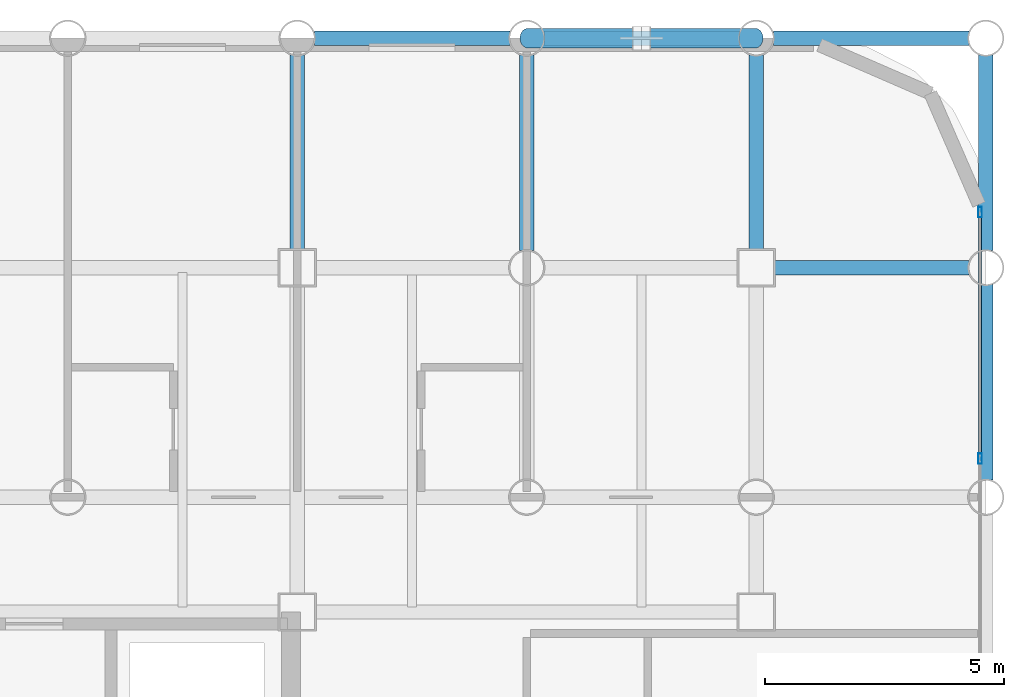
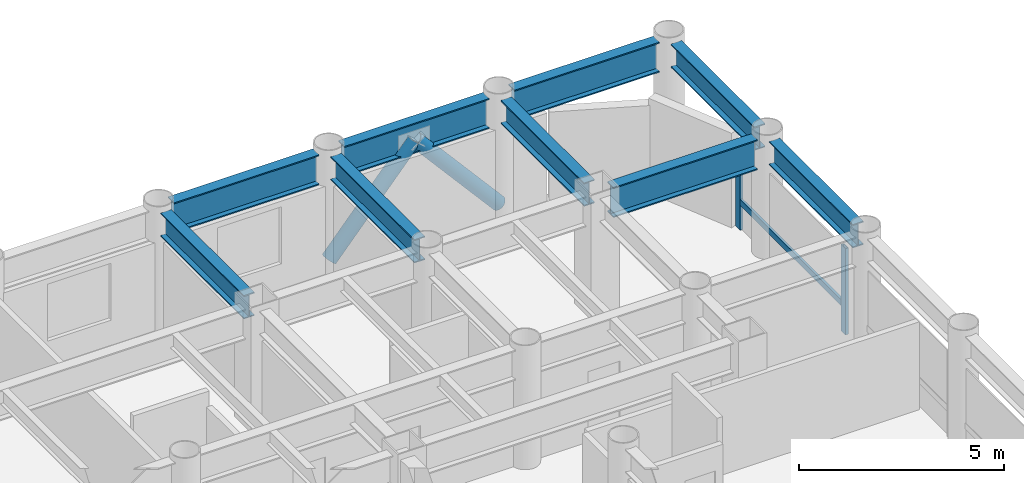
# One storey, part 14 of 21: 9 beams, 5 members, 1 element without a shape of its own.
"""IFC4 building model written with IfcOpenShell, lengths in metres."""

from ifc_helpers import new_model, si_unit, direction, frame, origin, origin_2d, place, context, subcontext, project, spatial, hollow_rectangle, hollow_circle, i_section, extrude, material, layer, layer_set, material_profile, profile_set, type_object, element, aggregate, save


model = new_model("IFC4")

# Units and contexts
model_context = context("Model", 3, precision=1e-05, world=origin(), true_north=direction((0.0, 1.0)))
body_context = subcontext(model_context, "Body", "Model", "MODEL_VIEW")
ifc_project = project(units=[si_unit("LENGTHUNIT", "METRE"), si_unit("AREAUNIT", "SQUARE_METRE"), si_unit("VOLUMEUNIT", "CUBIC_METRE"), si_unit("PLANEANGLEUNIT", "RADIAN"), si_unit("MASSUNIT", "GRAM", prefix="KILO")], contexts=[model_context])

# Site, building, storey
site_placement = place(None, origin())
site = spatial("IfcSite", under=ifc_project, at=site_placement, CompositionType="ELEMENT")
building_placement = place(site_placement, origin())
building = spatial("IfcBuilding", under=site, at=building_placement, Name="Kallvorn Hotel Tower", CompositionType="ELEMENT")
storey_placement = place(building_placement, frame((0.0, 0.0, 44.800048828125)))
storey = spatial("IfcBuildingStorey", under=building, at=storey_placement, Name="L09", CompositionType="ELEMENT", Elevation=44.800048828125)

# Beams
ifc_material_1 = material(Name="Structural steel S355JR", Category="steel")
ifc_material_profile_1 = material_profile(ifc_material_1, i_section(OverallWidth=0.300048828125, OverallDepth=0.699951171875, WebThickness=0.01708984375, FlangeThickness=0.031982421875, at=origin_2d()), Name="HE 700 B")
ifc_profile_set_1 = profile_set([ifc_material_profile_1], Name="Structural steel S355JR")
beam_type_1 = type_object("IfcBeamType", Name="BM_HE700B", PredefinedType="BEAM", material=ifc_profile_set_1)
beam_1_placement = place(storey_placement, frame((14.39990234375, 14.77490234375, 3.169921875), z_axis=(0.0, 1.0, 0.0), x_axis=(-1.0, 0.0, 0.0)))
element("IfcBeam", 1, at=beam_1_placement, inside=storey, type_object=beam_type_1, Name="L10 Primary Y-Girder 126", PredefinedType="BEAM", context=body_context, shape_type="SweptSolid", body=[
    extrude(i_section(OverallWidth=0.300048828125, OverallDepth=0.699951171875, WebThickness=0.01708984375, FlangeThickness=0.031982421875, at=origin_2d()), origin(), (0.0, 0.0, 1.0), 4.069091796875),
])
beam_2_placement = place(storey_placement, frame((19.199951171875, 14.756103515625, 3.169921875), z_axis=(0.0, 1.0, 0.0), x_axis=(-1.0, 0.0, 0.0)))
element("IfcBeam", 2, at=beam_2_placement, inside=storey, type_object=beam_type_1, Name="L10 Primary Y-Girder 135", PredefinedType="BEAM", context=body_context, shape_type="SweptSolid", body=[
    extrude(i_section(OverallWidth=0.300048828125, OverallDepth=0.699951171875, WebThickness=0.01708984375, FlangeThickness=0.031982421875, at=origin_2d()), origin(), (0.0, 0.0, 1.0), 4.087890625),
])
beam_3_placement = place(storey_placement, frame((24.0, 14.77490234375, 3.169921875), z_axis=(0.0, 1.0, 0.0), x_axis=(-1.0, 0.0, 0.0)))
element("IfcBeam", 3, at=beam_3_placement, inside=storey, type_object=beam_type_1, Name="L10 Primary Y-Girder 142", PredefinedType="BEAM", context=body_context, shape_type="SweptSolid", body=[
    extrude(i_section(OverallWidth=0.300048828125, OverallDepth=0.699951171875, WebThickness=0.01708984375, FlangeThickness=0.031982421875, at=origin_2d()), origin(), (0.0, 0.0, 1.0), 4.069091796875),
])
for number, where, z_axis, x_axis, name in (
    (4, (28.800048828125, 9.9560546875, 3.169921875), (0.0, 1.0, 0.0), (-1.0, 0.0, 0.0), "L10 Primary Y-Girder 149"),
    (5, (28.800048828125, 14.756103515625, 3.169921875), (0.0, 1.0, 0.0), (-1.0, 0.0, 0.0), "L10 Primary Y-Girder 150"),
):
    element("IfcBeam", number, at=place(storey_placement, frame(where, z_axis=z_axis, x_axis=x_axis)), inside=storey, type_object=beam_type_1, Name=name, PredefinedType="BEAM", context=body_context, shape_type="SweptSolid", body=[
        extrude(i_section(OverallWidth=0.300048828125, OverallDepth=0.699951171875, WebThickness=0.01708984375, FlangeThickness=0.031982421875, at=origin_2d()), origin(), (0.0, 0.0, 1.0), 4.087890625),
    ])
ifc_material_2 = material(Name="Structural steel S355JR", Category="steel")
ifc_material_profile_2 = material_profile(ifc_material_2, i_section(OverallWidth=0.300048828125, OverallDepth=0.89990234375, WebThickness=0.0185546875, FlangeThickness=0.034912109375, at=origin_2d()), Name="HE 900 B")
ifc_profile_set_2 = profile_set([ifc_material_profile_2], Name="Structural steel S355JR")
beam_type_2 = type_object("IfcBeamType", Name="BM_HE900B", PredefinedType="BEAM", material=ifc_profile_set_2)
beam_4_placement = place(storey_placement, frame((24.375, 14.39990234375, 3.070068359375), z_axis=(1.0, 0.0, 0.0), x_axis=(0.0, 1.0, 0.0)))
element("IfcBeam", 6, at=beam_4_placement, inside=storey, type_object=beam_type_2, Name="L10 Primary X-Girder 60", PredefinedType="BEAM", context=body_context, shape_type="SweptSolid", body=[
    extrude(i_section(OverallWidth=0.300048828125, OverallDepth=0.89990234375, WebThickness=0.0185546875, FlangeThickness=0.034912109375, at=origin_2d()), origin(), (0.0, 0.0, 1.0), 4.069091796875),
])
beam_5_placement = place(storey_placement, frame((14.756103515625, 19.199951171875, 3.070068359375), z_axis=(1.0, 0.0, 0.0), x_axis=(0.0, 1.0, 0.0)))
element("IfcBeam", 7, at=beam_5_placement, inside=storey, type_object=beam_type_2, Name="L10 Primary X-Girder 70", PredefinedType="BEAM", context=body_context, shape_type="SweptSolid", body=[
    extrude(i_section(OverallWidth=0.300048828125, OverallDepth=0.89990234375, WebThickness=0.0185546875, FlangeThickness=0.034912109375, at=origin_2d()), origin(), (0.0, 0.0, 1.0), 4.087890625),
])
for number, where, z_axis, x_axis, name in (
    (8, (19.555908203125, 19.199951171875, 3.070068359375), (1.0, 0.0, 0.0), (0.0, 1.0, 0.0), "L10 Primary X-Girder 71"),
    (9, (24.35595703125, 19.199951171875, 3.070068359375), (1.0, 0.0, 0.0), (0.0, 1.0, 0.0), "L10 Primary X-Girder 72"),
):
    element("IfcBeam", number, at=place(storey_placement, frame(where, z_axis=z_axis, x_axis=x_axis)), inside=storey, type_object=beam_type_2, Name=name, PredefinedType="BEAM", context=body_context, shape_type="SweptSolid", body=[
        extrude(i_section(OverallWidth=0.300048828125, OverallDepth=0.89990234375, WebThickness=0.0185546875, FlangeThickness=0.034912109375, at=origin_2d()), origin(), (0.0, 0.0, 1.0), 4.088134765625),
    ])

# Curtain wall, members
ifc_material_3 = material(Name="Thermally broken black-anodised aluminium AA 6063-T6", Category="aluminium")
ifc_layer = layer(ifc_material_3, 0.199951171875)
ifc_layer_set = layer_set([ifc_layer], Name="CW_SYS_3_HOTEL_LOW")
curtain_wall_type = type_object("IfcCurtainWallType", Name="CW_SYS_3_HOTEL_LOW", PredefinedType="USERDEFINED", material=ifc_layer_set)
curtain_wall_placement = place(storey_placement, origin())
curtain_wall = element("IfcCurtainWall", 10, at=curtain_wall_placement, inside=storey, type_object=curtain_wall_type, Name="L09 Dark-Glass Curtain Wall CW-L09-EN", ObjectType="UNITISED CURTAIN WALL", PredefinedType="USERDEFINED")
ifc_material_4 = material(Name="Thermally broken black-anodised aluminium AA 6063-T6", Category="aluminium")
ifc_material_profile_3 = material_profile(ifc_material_4, hollow_rectangle(XDim=0.080078125, YDim=0.219970703125, WallThickness=0.0048828125, at=origin_2d()), Name="MUL 220x80")
ifc_profile_set_3 = profile_set([ifc_material_profile_3], Name="Thermally broken black-anodised aluminium AA 6063-T6")
member_type_1 = type_object("IfcMemberType", Name="CW_MULLION_220x80", PredefinedType="MULLION", material=ifc_profile_set_3)
member_1_placement = place(storey_placement, frame((28.679931640625, 10.40673828125, 0.02001953125), z_axis=(0.0, 0.0, 1.0), x_axis=(1.0, 0.0, 0.0)))
member_1 = element("IfcMember", 11, at=member_1_placement, type_object=member_type_1, Name="CW-L09-EN Mullion 02", PredefinedType="MULLION", context=body_context, shape_type="SweptSolid", body=[
    extrude(hollow_rectangle(XDim=0.080078125, YDim=0.219970703125, WallThickness=0.0048828125, at=origin_2d()), origin(), (0.0, 0.0, 1.0), 2.579833984375),
])
member_2_placement = place(storey_placement, frame((28.679931640625, 15.56005859375, 0.02001953125), z_axis=(0.0, 0.0, 1.0), x_axis=(1.0, 0.0, 0.0)))
member_2 = element("IfcMember", 12, at=member_2_placement, type_object=member_type_1, Name="CW-L09-EN Mullion 03", PredefinedType="MULLION", context=body_context, shape_type="SweptSolid", body=[
    extrude(hollow_rectangle(XDim=0.080078125, YDim=0.219970703125, WallThickness=0.0048828125, at=origin_2d()), origin(), (0.0, 0.0, 1.0), 2.579833984375),
])
ifc_material_5 = material(Name="Thermally broken black-anodised aluminium AA 6063-T6", Category="aluminium")
ifc_material_profile_4 = material_profile(ifc_material_5, hollow_rectangle(XDim=0.070068359375, YDim=0.179931640625, WallThickness=0.00390625, at=origin_2d()), Name="TRN 180x70")
ifc_profile_set_4 = profile_set([ifc_material_profile_4], Name="Thermally broken black-anodised aluminium AA 6063-T6")
member_type_2 = type_object("IfcMemberType", Name="CW_TRANSOM_180x70", PredefinedType="USERDEFINED", material=ifc_profile_set_4)
member_3_placement = place(storey_placement, frame((28.679931640625, 10.44677734375, 0.849853515625), z_axis=(0.0, 1.0, 0.0), x_axis=(-1.0, 0.0, 0.0)))
member_3 = element("IfcMember", 13, at=member_3_placement, type_object=member_type_2, Name="CW-L09-EN Transom 02M", ObjectType="TRANSOM", PredefinedType="USERDEFINED", context=body_context, shape_type="SweptSolid", body=[
    extrude(hollow_rectangle(XDim=0.070068359375, YDim=0.179931640625, WallThickness=0.00390625, at=origin_2d()), origin(), (0.0, 0.0, 1.0), 5.11328125),
])
aggregate(curtain_wall, [member_1, member_2, member_3])

# Members
ifc_material_6 = material(Name="Structural steel S355J2H", Category="steel")
ifc_material_profile_5 = material_profile(ifc_material_6, hollow_circle(Radius=0.203125, WallThickness=0.01611328125, at=origin_2d()), Name="CHS 406.4x16")
ifc_profile_set_5 = profile_set([ifc_material_profile_5], Name="Structural steel S355J2H")
member_type_3 = type_object("IfcMemberType", Name="MBR_EXO_CHS406", PredefinedType="BRACE", material=ifc_profile_set_5)
for number, where, z_axis, x_axis, name in (
    (14, (19.213134765625, 19.199951171875, 0.195068359375), (0.65346062529, 0.0, 0.756960508346), (0.0, 1.0, 0.0), "L09 Exoskeleton K-Brace N2A"),
    (15, (23.98681640625, 19.199951171875, 0.195068359375), (-0.65346062529, 0.0, 0.756960508346), (0.0, -1.0, 0.0), "L09 Exoskeleton K-Brace N2B"),
):
    element("IfcMember", number, at=place(storey_placement, frame(where, z_axis=z_axis, x_axis=x_axis)), inside=storey, type_object=member_type_3, Name=name, PredefinedType="BRACE", context=body_context, shape_type="SweptSolid", body=[
        extrude(hollow_circle(Radius=0.203125, WallThickness=0.01611328125, at=origin_2d()), origin(), (0.0, 0.0, 1.0), 3.632568359375),
    ])

save(model, "model.ifc")
